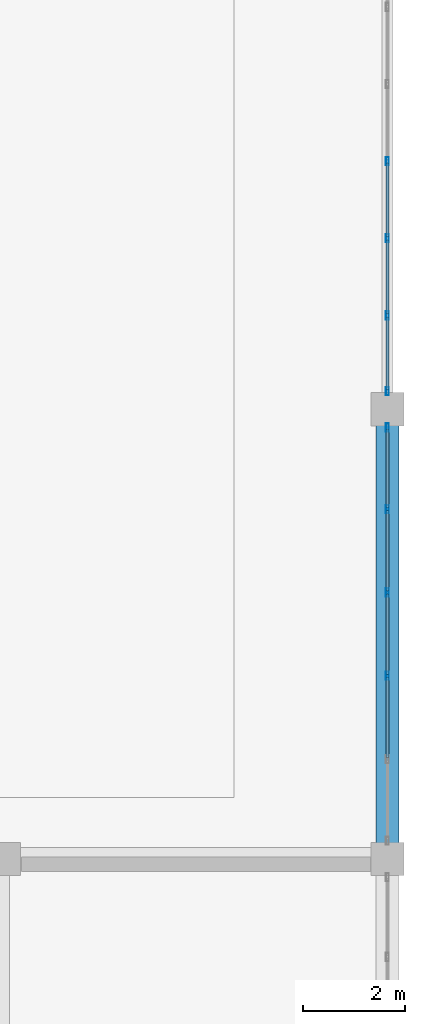
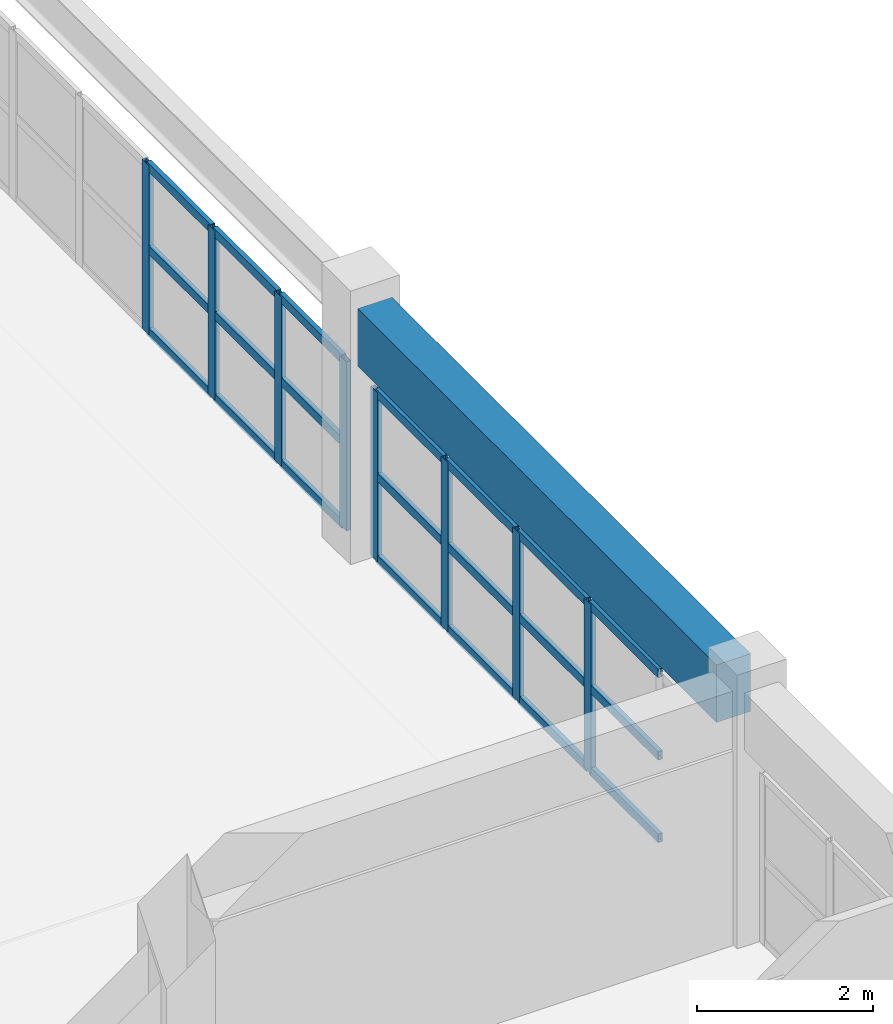
# One storey, part 35 of 74: 29 members, 1 beam, 2 elements without a shape of their own.
"""IFC4 building model written with IfcOpenShell, lengths in metres."""

from ifc_helpers import new_model, si_unit, direction, frame, origin, origin_2d, place, context, subcontext, project, spatial, rectangle, hollow_rectangle, extrude, material, layer, layer_set, material_profile, profile_set, type_object, element, aggregate, save


model = new_model("IFC4")

# Units and contexts
model_context = context("Model", 3, precision=1e-05, world=origin(), true_north=direction((0.0, 1.0)))
body_context = subcontext(model_context, "Body", "Model", "MODEL_VIEW")
ifc_project = project(units=[si_unit("LENGTHUNIT", "METRE"), si_unit("AREAUNIT", "SQUARE_METRE"), si_unit("VOLUMEUNIT", "CUBIC_METRE"), si_unit("PLANEANGLEUNIT", "RADIAN"), si_unit("MASSUNIT", "GRAM", prefix="KILO")], contexts=[model_context])

# Site, building, storey
site_placement = place(None, origin())
site = spatial("IfcSite", under=ifc_project, at=site_placement, CompositionType="ELEMENT")
building_placement = place(site_placement, origin())
building = spatial("IfcBuilding", under=site, at=building_placement, Name="Muzn Square Opera House", CompositionType="ELEMENT")
storey_placement = place(building_placement, frame((0.0, 0.0, 14.199951171875)))
storey = spatial("IfcBuildingStorey", under=building, at=storey_placement, Name="L03", CompositionType="ELEMENT", Elevation=14.199951171875)

# Curtain wall, members
ifc_material_1 = material(Name="Low-E laminated acoustic double glazing", Category="glass")
ifc_layer_1 = layer(ifc_material_1, 0.159912109375, Name="Low-E laminated acoustic double glazing", Category="glass")
ifc_layer_set_1 = layer_set([ifc_layer_1], Name="Low-E laminated acoustic double glazing")
curtain_wall_type_1 = type_object("IfcCurtainWallType", Name="Glazed Curtain Wall RehearsalEast 8150x2350", PredefinedType="USERDEFINED", material=ifc_layer_set_1)
curtain_wall_1_placement = place(storey_placement, origin())
curtain_wall_1 = element("IfcCurtainWall", 1, at=curtain_wall_1_placement, inside=storey, type_object=curtain_wall_type_1, Name="Glazed Curtain Wall CW-L03-128", ObjectType="GLAZED CURTAIN WALL", PredefinedType="USERDEFINED")
ifc_material_2 = material(Name="Anodised bronze aluminium 6063-T6", Category="metal")
ifc_material_profile_1 = material_profile(ifc_material_2, hollow_rectangle(XDim=0.06005859375, YDim=0.159912109375, WallThickness=0.00390625, at=origin_2d()), Name="ALU 160x60x4", Category="metal")
ifc_profile_set_1 = profile_set([ifc_material_profile_1], Name="Anodised bronze aluminium 6063-T6")
member_type_1 = type_object("IfcMemberType", Name="Curtain Wall Mullion 160x60", PredefinedType="MULLION", material=ifc_profile_set_1)
member_1_placement = place(storey_placement, frame((170.0, 93.385009765625, 0.0), z_axis=(0.0, 0.0, 1.0), x_axis=(-1.0, 0.0, 0.0)))
member_1 = element("IfcMember", 2, at=member_1_placement, type_object=member_type_1, Name="CW-RHE-81x23 mullion 3", PredefinedType="MULLION", context=body_context, shape_type="SweptSolid", body=[
    extrude(hollow_rectangle(XDim=0.06005859375, YDim=0.159912109375, WallThickness=0.00390625, at=origin_2d()), origin(), (0.0, 0.0, 1.0), 2.35009765625),
])
member_2_placement = place(storey_placement, frame((170.0, 95.014892578125, 0.0), z_axis=(0.0, 0.0, 1.0), x_axis=(-1.0, 0.0, 0.0)))
member_2 = element("IfcMember", 3, at=member_2_placement, type_object=member_type_1, Name="CW-RHE-81x23 mullion 4", PredefinedType="MULLION", context=body_context, shape_type="SweptSolid", body=[
    extrude(hollow_rectangle(XDim=0.06005859375, YDim=0.159912109375, WallThickness=0.00390625, at=origin_2d()), origin(), (0.0, 0.0, 1.0), 2.35009765625),
])
member_3_placement = place(storey_placement, frame((170.0, 96.64501953125, 0.0), z_axis=(0.0, 0.0, 1.0), x_axis=(-1.0, 0.0, 0.0)))
member_3 = element("IfcMember", 4, at=member_3_placement, type_object=member_type_1, Name="CW-RHE-81x23 mullion 5", PredefinedType="MULLION", context=body_context, shape_type="SweptSolid", body=[
    extrude(hollow_rectangle(XDim=0.06005859375, YDim=0.159912109375, WallThickness=0.00390625, at=origin_2d()), origin(), (0.0, 0.0, 1.0), 2.35009765625),
])
member_4_placement = place(storey_placement, frame((170.0, 98.2451171875, 0.0), z_axis=(0.0, 0.0, 1.0), x_axis=(-1.0, 0.0, 0.0)))
member_4 = element("IfcMember", 5, at=member_4_placement, type_object=member_type_1, Name="CW-RHE-81x23 mullion 6", PredefinedType="MULLION", context=body_context, shape_type="SweptSolid", body=[
    extrude(hollow_rectangle(XDim=0.06005859375, YDim=0.159912109375, WallThickness=0.00390625, at=origin_2d()), origin(), (0.0, 0.0, 1.0), 2.35009765625),
])

ifc_layer_2 = layer(ifc_material_1, 0.159912109375, Name="Low-E laminated acoustic double glazing", Category="glass")
ifc_layer_set_2 = layer_set([ifc_layer_2], Name="Low-E laminated acoustic double glazing")
curtain_wall_type_2 = type_object("IfcCurtainWallType", Name="Glazed Curtain Wall RehearsalEast 12075x2350", PredefinedType="USERDEFINED", material=ifc_layer_set_2)
curtain_wall_2_placement = place(storey_placement, origin())
curtain_wall_2 = element("IfcCurtainWall", 6, at=curtain_wall_2_placement, inside=storey, type_object=curtain_wall_type_2, Name="Glazed Curtain Wall CW-L03-129", ObjectType="GLAZED CURTAIN WALL", PredefinedType="USERDEFINED")
member_5_placement = place(storey_placement, frame((170.0, 98.955078125, 0.0), z_axis=(0.0, 0.0, 1.0), x_axis=(-1.0, 0.0, 0.0)))
member_5 = element("IfcMember", 7, at=member_5_placement, type_object=member_type_1, Name="CW-RHE-120x23 mullion 1", PredefinedType="MULLION", context=body_context, shape_type="SweptSolid", body=[
    extrude(hollow_rectangle(XDim=0.06005859375, YDim=0.159912109375, WallThickness=0.00390625, at=origin_2d()), origin(), (0.0, 0.0, 1.0), 2.35009765625),
])
member_6_placement = place(storey_placement, frame((170.0, 100.434326171875, 0.0), z_axis=(0.0, 0.0, 1.0), x_axis=(-1.0, 0.0, 0.0)))
member_6 = element("IfcMember", 8, at=member_6_placement, type_object=member_type_1, Name="CW-RHE-120x23 mullion 2", PredefinedType="MULLION", context=body_context, shape_type="SweptSolid", body=[
    extrude(hollow_rectangle(XDim=0.06005859375, YDim=0.159912109375, WallThickness=0.00390625, at=origin_2d()), origin(), (0.0, 0.0, 1.0), 2.35009765625),
])
member_7_placement = place(storey_placement, frame((170.0, 101.94384765625, 0.0), z_axis=(0.0, 0.0, 1.0), x_axis=(-1.0, 0.0, 0.0)))
member_7 = element("IfcMember", 9, at=member_7_placement, type_object=member_type_1, Name="CW-RHE-120x23 mullion 3", PredefinedType="MULLION", context=body_context, shape_type="SweptSolid", body=[
    extrude(hollow_rectangle(XDim=0.06005859375, YDim=0.159912109375, WallThickness=0.00390625, at=origin_2d()), origin(), (0.0, 0.0, 1.0), 2.35009765625),
])
member_8_placement = place(storey_placement, frame((170.0, 103.453125, 0.0), z_axis=(0.0, 0.0, 1.0), x_axis=(-1.0, 0.0, 0.0)))
member_8 = element("IfcMember", 10, at=member_8_placement, type_object=member_type_1, Name="CW-RHE-120x23 mullion 4", PredefinedType="MULLION", context=body_context, shape_type="SweptSolid", body=[
    extrude(hollow_rectangle(XDim=0.06005859375, YDim=0.159912109375, WallThickness=0.00390625, at=origin_2d()), origin(), (0.0, 0.0, 1.0), 2.35009765625),
])

# Member
ifc_material_profile_2 = material_profile(ifc_material_2, hollow_rectangle(XDim=0.06005859375, YDim=0.1201171875, WallThickness=0.00390625, at=origin_2d()), Name="ALU 120x60x4", Category="metal")
ifc_profile_set_2 = profile_set([ifc_material_profile_2], Name="Anodised bronze aluminium 6063-T6")
member_type_2 = type_object("IfcMemberType", Name="Curtain Wall Transom 120x60", PredefinedType="USERDEFINED", material=ifc_profile_set_2)
member_9_placement = place(storey_placement, frame((170.0, 91.784912109375, 0.030029296875), z_axis=(0.0, 1.0, 0.0), x_axis=(-1.0, 0.0, 0.0)))
member_9 = element("IfcMember", 11, at=member_9_placement, type_object=member_type_2, Name="CW-RHE-81x23 transom 2.1", ObjectType="TRANSOM", PredefinedType="USERDEFINED", context=body_context, shape_type="SweptSolid", body=[
    extrude(hollow_rectangle(XDim=0.06005859375, YDim=0.1201171875, WallThickness=0.00390625, at=origin_2d()), origin(), (0.0, 0.0, 1.0), 1.570068359375),
])

member_10_placement = place(storey_placement, frame((170.0, 91.784912109375, 1.175048828125), z_axis=(0.0, 1.0, 0.0), x_axis=(-1.0, 0.0, 0.0)))
member_10 = element("IfcMember", 12, at=member_10_placement, type_object=member_type_2, Name="CW-RHE-81x23 transom 2.2", ObjectType="TRANSOM", PredefinedType="USERDEFINED", context=body_context, shape_type="SweptSolid", body=[
    extrude(hollow_rectangle(XDim=0.06005859375, YDim=0.1201171875, WallThickness=0.00390625, at=origin_2d()), origin(), (0.0, 0.0, 1.0), 1.570068359375),
])

member_11_placement = place(storey_placement, frame((170.0, 91.784912109375, 2.320068359375), z_axis=(0.0, 1.0, 0.0), x_axis=(-1.0, 0.0, 0.0)))
member_11 = element("IfcMember", 13, at=member_11_placement, type_object=member_type_2, Name="CW-RHE-81x23 transom 2.3", ObjectType="TRANSOM", PredefinedType="USERDEFINED", context=body_context, shape_type="SweptSolid", body=[
    extrude(hollow_rectangle(XDim=0.06005859375, YDim=0.1201171875, WallThickness=0.00390625, at=origin_2d()), origin(), (0.0, 0.0, 1.0), 1.570068359375),
])

member_12_placement = place(storey_placement, frame((170.0, 93.4150390625, 0.030029296875), z_axis=(0.0, 1.0, 0.0), x_axis=(-1.0, 0.0, 0.0)))
member_12 = element("IfcMember", 14, at=member_12_placement, type_object=member_type_2, Name="CW-RHE-81x23 transom 3.1", ObjectType="TRANSOM", PredefinedType="USERDEFINED", context=body_context, shape_type="SweptSolid", body=[
    extrude(hollow_rectangle(XDim=0.06005859375, YDim=0.1201171875, WallThickness=0.00390625, at=origin_2d()), origin(), (0.0, 0.0, 1.0), 1.570068359375),
])

member_13_placement = place(storey_placement, frame((170.0, 93.4150390625, 1.175048828125), z_axis=(0.0, 1.0, 0.0), x_axis=(-1.0, 0.0, 0.0)))
member_13 = element("IfcMember", 15, at=member_13_placement, type_object=member_type_2, Name="CW-RHE-81x23 transom 3.2", ObjectType="TRANSOM", PredefinedType="USERDEFINED", context=body_context, shape_type="SweptSolid", body=[
    extrude(hollow_rectangle(XDim=0.06005859375, YDim=0.1201171875, WallThickness=0.00390625, at=origin_2d()), origin(), (0.0, 0.0, 1.0), 1.570068359375),
])

member_14_placement = place(storey_placement, frame((170.0, 93.4150390625, 2.320068359375), z_axis=(0.0, 1.0, 0.0), x_axis=(-1.0, 0.0, 0.0)))
member_14 = element("IfcMember", 16, at=member_14_placement, type_object=member_type_2, Name="CW-RHE-81x23 transom 3.3", ObjectType="TRANSOM", PredefinedType="USERDEFINED", context=body_context, shape_type="SweptSolid", body=[
    extrude(hollow_rectangle(XDim=0.06005859375, YDim=0.1201171875, WallThickness=0.00390625, at=origin_2d()), origin(), (0.0, 0.0, 1.0), 1.570068359375),
])

member_15_placement = place(storey_placement, frame((170.0, 95.044921875, 0.030029296875), z_axis=(0.0, 1.0, 0.0), x_axis=(-1.0, 0.0, 0.0)))
member_15 = element("IfcMember", 17, at=member_15_placement, type_object=member_type_2, Name="CW-RHE-81x23 transom 4.1", ObjectType="TRANSOM", PredefinedType="USERDEFINED", context=body_context, shape_type="SweptSolid", body=[
    extrude(hollow_rectangle(XDim=0.06005859375, YDim=0.1201171875, WallThickness=0.00390625, at=origin_2d()), origin(), (0.0, 0.0, 1.0), 1.570068359375),
])

member_16_placement = place(storey_placement, frame((170.0, 95.044921875, 1.175048828125), z_axis=(0.0, 1.0, 0.0), x_axis=(-1.0, 0.0, 0.0)))
member_16 = element("IfcMember", 18, at=member_16_placement, type_object=member_type_2, Name="CW-RHE-81x23 transom 4.2", ObjectType="TRANSOM", PredefinedType="USERDEFINED", context=body_context, shape_type="SweptSolid", body=[
    extrude(hollow_rectangle(XDim=0.06005859375, YDim=0.1201171875, WallThickness=0.00390625, at=origin_2d()), origin(), (0.0, 0.0, 1.0), 1.570068359375),
])

member_17_placement = place(storey_placement, frame((170.0, 95.044921875, 2.320068359375), z_axis=(0.0, 1.0, 0.0), x_axis=(-1.0, 0.0, 0.0)))
member_17 = element("IfcMember", 19, at=member_17_placement, type_object=member_type_2, Name="CW-RHE-81x23 transom 4.3", ObjectType="TRANSOM", PredefinedType="USERDEFINED", context=body_context, shape_type="SweptSolid", body=[
    extrude(hollow_rectangle(XDim=0.06005859375, YDim=0.1201171875, WallThickness=0.00390625, at=origin_2d()), origin(), (0.0, 0.0, 1.0), 1.570068359375),
])

member_18_placement = place(storey_placement, frame((170.0, 96.675048828125, 0.030029296875), z_axis=(0.0, 1.0, 0.0), x_axis=(-1.0, 0.0, 0.0)))
member_18 = element("IfcMember", 20, at=member_18_placement, type_object=member_type_2, Name="CW-RHE-81x23 transom 5.1", ObjectType="TRANSOM", PredefinedType="USERDEFINED", context=body_context, shape_type="SweptSolid", body=[
    extrude(hollow_rectangle(XDim=0.06005859375, YDim=0.1201171875, WallThickness=0.00390625, at=origin_2d()), origin(), (0.0, 0.0, 1.0), 1.5400390625),
])

member_19_placement = place(storey_placement, frame((170.0, 96.675048828125, 1.175048828125), z_axis=(0.0, 1.0, 0.0), x_axis=(-1.0, 0.0, 0.0)))
member_19 = element("IfcMember", 21, at=member_19_placement, type_object=member_type_2, Name="CW-RHE-81x23 transom 5.2", ObjectType="TRANSOM", PredefinedType="USERDEFINED", context=body_context, shape_type="SweptSolid", body=[
    extrude(hollow_rectangle(XDim=0.06005859375, YDim=0.1201171875, WallThickness=0.00390625, at=origin_2d()), origin(), (0.0, 0.0, 1.0), 1.5400390625),
])

member_20_placement = place(storey_placement, frame((170.0, 96.675048828125, 2.320068359375), z_axis=(0.0, 1.0, 0.0), x_axis=(-1.0, 0.0, 0.0)))
member_20 = element("IfcMember", 22, at=member_20_placement, type_object=member_type_2, Name="CW-RHE-81x23 transom 5.3", ObjectType="TRANSOM", PredefinedType="USERDEFINED", context=body_context, shape_type="SweptSolid", body=[
    extrude(hollow_rectangle(XDim=0.06005859375, YDim=0.1201171875, WallThickness=0.00390625, at=origin_2d()), origin(), (0.0, 0.0, 1.0), 1.5400390625),
])

aggregate(curtain_wall_1, [member_1, member_2, member_3, member_4, member_9, member_10, member_11, member_12, member_13, member_14, member_15, member_16, member_17, member_18, member_19, member_20])

member_21_placement = place(storey_placement, frame((170.0, 98.985107421875, 0.030029296875), z_axis=(0.0, 1.0, 0.0), x_axis=(-1.0, 0.0, 0.0)))
member_21 = element("IfcMember", 23, at=member_21_placement, type_object=member_type_2, Name="CW-RHE-120x23 transom 1.1", ObjectType="TRANSOM", PredefinedType="USERDEFINED", context=body_context, shape_type="SweptSolid", body=[
    extrude(hollow_rectangle(XDim=0.06005859375, YDim=0.1201171875, WallThickness=0.00390625, at=origin_2d()), origin(), (0.0, 0.0, 1.0), 1.419189453125),
])

member_22_placement = place(storey_placement, frame((170.0, 98.985107421875, 1.175048828125), z_axis=(0.0, 1.0, 0.0), x_axis=(-1.0, 0.0, 0.0)))
member_22 = element("IfcMember", 24, at=member_22_placement, type_object=member_type_2, Name="CW-RHE-120x23 transom 1.2", ObjectType="TRANSOM", PredefinedType="USERDEFINED", context=body_context, shape_type="SweptSolid", body=[
    extrude(hollow_rectangle(XDim=0.06005859375, YDim=0.1201171875, WallThickness=0.00390625, at=origin_2d()), origin(), (0.0, 0.0, 1.0), 1.419189453125),
])

member_23_placement = place(storey_placement, frame((170.0, 98.985107421875, 2.320068359375), z_axis=(0.0, 1.0, 0.0), x_axis=(-1.0, 0.0, 0.0)))
member_23 = element("IfcMember", 25, at=member_23_placement, type_object=member_type_2, Name="CW-RHE-120x23 transom 1.3", ObjectType="TRANSOM", PredefinedType="USERDEFINED", context=body_context, shape_type="SweptSolid", body=[
    extrude(hollow_rectangle(XDim=0.06005859375, YDim=0.1201171875, WallThickness=0.00390625, at=origin_2d()), origin(), (0.0, 0.0, 1.0), 1.419189453125),
])

member_24_placement = place(storey_placement, frame((170.0, 100.46435546875, 0.030029296875), z_axis=(0.0, 1.0, 0.0), x_axis=(-1.0, 0.0, 0.0)))
member_24 = element("IfcMember", 26, at=member_24_placement, type_object=member_type_2, Name="CW-RHE-120x23 transom 2.1", ObjectType="TRANSOM", PredefinedType="USERDEFINED", context=body_context, shape_type="SweptSolid", body=[
    extrude(hollow_rectangle(XDim=0.06005859375, YDim=0.1201171875, WallThickness=0.00390625, at=origin_2d()), origin(), (0.0, 0.0, 1.0), 1.449462890625),
])

member_25_placement = place(storey_placement, frame((170.0, 100.46435546875, 1.175048828125), z_axis=(0.0, 1.0, 0.0), x_axis=(-1.0, 0.0, 0.0)))
member_25 = element("IfcMember", 27, at=member_25_placement, type_object=member_type_2, Name="CW-RHE-120x23 transom 2.2", ObjectType="TRANSOM", PredefinedType="USERDEFINED", context=body_context, shape_type="SweptSolid", body=[
    extrude(hollow_rectangle(XDim=0.06005859375, YDim=0.1201171875, WallThickness=0.00390625, at=origin_2d()), origin(), (0.0, 0.0, 1.0), 1.449462890625),
])

member_26_placement = place(storey_placement, frame((170.0, 100.46435546875, 2.320068359375), z_axis=(0.0, 1.0, 0.0), x_axis=(-1.0, 0.0, 0.0)))
member_26 = element("IfcMember", 28, at=member_26_placement, type_object=member_type_2, Name="CW-RHE-120x23 transom 2.3", ObjectType="TRANSOM", PredefinedType="USERDEFINED", context=body_context, shape_type="SweptSolid", body=[
    extrude(hollow_rectangle(XDim=0.06005859375, YDim=0.1201171875, WallThickness=0.00390625, at=origin_2d()), origin(), (0.0, 0.0, 1.0), 1.449462890625),
])

member_27_placement = place(storey_placement, frame((170.0, 101.9736328125, 0.030029296875), z_axis=(0.0, 1.0, 0.0), x_axis=(-1.0, 0.0, 0.0)))
member_27 = element("IfcMember", 29, at=member_27_placement, type_object=member_type_2, Name="CW-RHE-120x23 transom 3.1", ObjectType="TRANSOM", PredefinedType="USERDEFINED", context=body_context, shape_type="SweptSolid", body=[
    extrude(hollow_rectangle(XDim=0.06005859375, YDim=0.1201171875, WallThickness=0.00390625, at=origin_2d()), origin(), (0.0, 0.0, 1.0), 1.449462890625),
])

member_28_placement = place(storey_placement, frame((170.0, 101.9736328125, 1.175048828125), z_axis=(0.0, 1.0, 0.0), x_axis=(-1.0, 0.0, 0.0)))
member_28 = element("IfcMember", 30, at=member_28_placement, type_object=member_type_2, Name="CW-RHE-120x23 transom 3.2", ObjectType="TRANSOM", PredefinedType="USERDEFINED", context=body_context, shape_type="SweptSolid", body=[
    extrude(hollow_rectangle(XDim=0.06005859375, YDim=0.1201171875, WallThickness=0.00390625, at=origin_2d()), origin(), (0.0, 0.0, 1.0), 1.449462890625),
])

member_29_placement = place(storey_placement, frame((170.0, 101.9736328125, 2.320068359375), z_axis=(0.0, 1.0, 0.0), x_axis=(-1.0, 0.0, 0.0)))
member_29 = element("IfcMember", 31, at=member_29_placement, type_object=member_type_2, Name="CW-RHE-120x23 transom 3.3", ObjectType="TRANSOM", PredefinedType="USERDEFINED", context=body_context, shape_type="SweptSolid", body=[
    extrude(hollow_rectangle(XDim=0.06005859375, YDim=0.1201171875, WallThickness=0.00390625, at=origin_2d()), origin(), (0.0, 0.0, 1.0), 1.449462890625),
])

aggregate(curtain_wall_2, [member_5, member_6, member_7, member_8, member_21, member_22, member_23, member_24, member_25, member_26, member_27, member_28, member_29])

# Beam
ifc_material_3 = material(Name="Concrete C40/50", Category="concrete")
ifc_material_profile_3 = material_profile(ifc_material_3, rectangle(XDim=0.449951171875, YDim=0.800048828125, at=origin_2d()), Name="RCB 450x800", Category="concrete")
ifc_profile_set_3 = profile_set([ifc_material_profile_3], Name="Concrete C40/50")
beam_type = type_object("IfcBeamType", Name="Primary Girder 450x800", PredefinedType="BEAM", material=ifc_profile_set_3)
beam_placement = place(storey_placement, frame((170.0, 90.116943359375, 3.1201171875), z_axis=(0.0, 1.0, 0.0), x_axis=(-1.0, 0.0, 0.0)))
element("IfcBeam", 32, at=beam_placement, inside=storey, type_object=beam_type, Name="Primary Girder BM-L03-BM-PG800-1700_901_1700_983-2635", PredefinedType="BEAM", context=body_context, shape_type="SweptSolid", body=[
    extrude(rectangle(XDim=0.449951171875, YDim=0.800048828125, at=origin_2d()), origin(), (0.0, 0.0, 1.0), 8.166015625),
])

save(model, "model.ifc")
